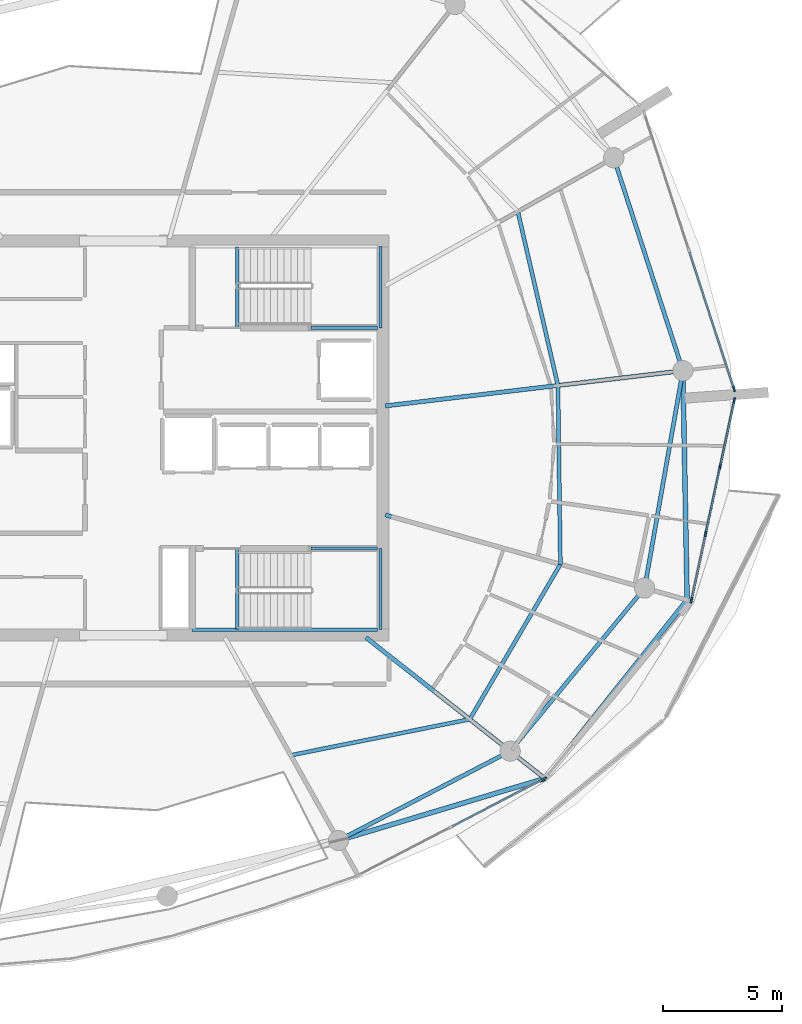
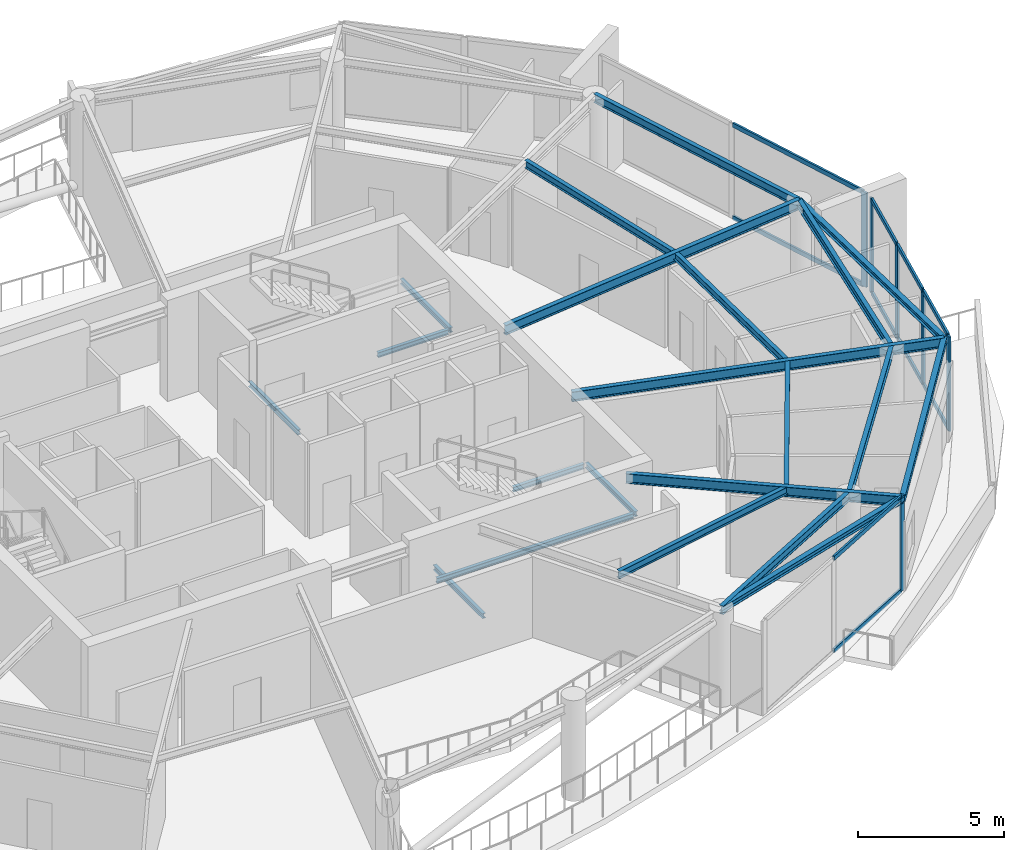
# One storey, part 6 of 22: 21 beams, 16 members, 3 elements without a shape of their own.
"""IFC4 building model written with IfcOpenShell, lengths in metres."""

from ifc_helpers import new_model, si_unit, direction, frame, origin, origin_2d, place, context, subcontext, project, spatial, rectangle, i_section, extrude, material, layer, layer_set, material_profile, profile_set, type_object, element, aggregate, save


model = new_model("IFC4")

# Units and contexts
model_context = context("Model", 3, precision=1e-05, world=origin(), true_north=direction((0.0, 1.0)))
body_context = subcontext(model_context, "Body", "Model", "MODEL_VIEW")
ifc_project = project(units=[si_unit("LENGTHUNIT", "METRE"), si_unit("AREAUNIT", "SQUARE_METRE"), si_unit("VOLUMEUNIT", "CUBIC_METRE"), si_unit("PLANEANGLEUNIT", "RADIAN"), si_unit("MASSUNIT", "GRAM", prefix="KILO")], contexts=[model_context])

# Site, building, storey
site_placement = place(None, origin())
site = spatial("IfcSite", under=ifc_project, at=site_placement, CompositionType="ELEMENT")
building_placement = place(site_placement, origin())
building = spatial("IfcBuilding", under=site, at=building_placement, Name="Kazma Halo Residences", CompositionType="ELEMENT")
storey_placement = place(building_placement, frame((0.0, 0.0, 330.5)))
storey = spatial("IfcBuildingStorey", under=building, at=storey_placement, Name="L83", CompositionType="ELEMENT", Elevation=330.5)

# Beams
ifc_material_1 = material(Name="Steel S355", Category="steel")
ifc_material_profile_1 = material_profile(ifc_material_1, i_section(OverallWidth=0.201904296875, OverallDepth=0.2470703125, WebThickness=0.00732421875, FlangeThickness=0.010986328125, FilletRadius=0.011962890625, at=origin_2d()), Name="W250x49.1")
ifc_profile_set_1 = profile_set([ifc_material_profile_1], Name="Steel S355")
beam_type_1 = type_object("IfcBeamType", Name="BM-BAL-CANT", PredefinedType="BEAM", material=ifc_profile_set_1)
beam_1_placement = place(storey_placement, frame((57.436767578125, 25.1494140625, 3.81640625), z_axis=(0.957652623349, 0.287926124193, 0.0), x_axis=(-0.287926124193, 0.957652623349, 0.0)))
element("IfcBeam", 1, at=beam_1_placement, inside=storey, type_object=beam_type_1, Name="L83 wave-balcony lead tie beam 13", PredefinedType="BEAM", context=body_context, shape_type="SweptSolid", body=[
    extrude(i_section(OverallWidth=0.201904296875, OverallDepth=0.2470703125, WebThickness=0.00732421875, FlangeThickness=0.010986328125, FilletRadius=0.011962890625, at=origin_2d()), origin(), (0.0, 0.0, 1.0), 9.0244140625),
])
beam_2_placement = place(storey_placement, frame((66.0791015625, 27.747802734375, 3.81640625), z_axis=(0.623310870646, 0.781974141858, 0.0), x_axis=(-0.781974141858, 0.623310870646, 0.0)))
element("IfcBeam", 2, at=beam_2_placement, inside=storey, type_object=beam_type_1, Name="L83 wave-balcony tie beam 14", PredefinedType="BEAM", context=body_context, shape_type="SweptSolid", body=[
    extrude(i_section(OverallWidth=0.201904296875, OverallDepth=0.2470703125, WebThickness=0.00732421875, FlangeThickness=0.010986328125, FilletRadius=0.011962890625, at=origin_2d()), origin(), (0.0, 0.0, 1.0), 9.55712890625),
])
beam_3_placement = place(storey_placement, frame((72.0361328125, 35.22119140625, 3.81640625), z_axis=(-0.018301708623, 0.999832509704, 0.0), x_axis=(-0.999832509704, -0.018301708623, 0.0)))
element("IfcBeam", 3, at=beam_3_placement, inside=storey, type_object=beam_type_1, Name="L83 wave-balcony tie beam 15", PredefinedType="BEAM", context=body_context, shape_type="SweptSolid", body=[
    extrude(i_section(OverallWidth=0.201904296875, OverallDepth=0.2470703125, WebThickness=0.00732421875, FlangeThickness=0.010986328125, FilletRadius=0.011962890625, at=origin_2d()), origin(), (0.0, 0.0, 1.0), 9.604736328125),
])
ifc_material_profile_2 = material_profile(ifc_material_1, i_section(OverallWidth=0.177978515625, OverallDepth=0.406982421875, WebThickness=0.0078125, FlangeThickness=0.0126953125, FilletRadius=0.013916015625, at=origin_2d()), Name="W410x60")
ifc_profile_set_2 = profile_set([ifc_material_profile_2], Name="Steel S355")
beam_type_2 = type_object("IfcBeamType", Name="BM-RAD-W410", PredefinedType="BEAM", material=ifc_profile_set_2)
beam_4_placement = place(storey_placement, frame((58.591796875, 33.64990234375, 3.736572265625), z_axis=(0.785338117696, -0.619067073017, 0.0), x_axis=(0.619067073017, 0.785338117696, 0.0)))
element("IfcBeam", 4, at=beam_4_placement, inside=storey, type_object=beam_type_2, Name="L83 radial floor beam 14", PredefinedType="BEAM", context=body_context, shape_type="SweptSolid", body=[
    extrude(i_section(OverallWidth=0.177978515625, OverallDepth=0.406982421875, WebThickness=0.0078125, FlangeThickness=0.0126953125, FilletRadius=0.013916015625, at=origin_2d()), origin(), (0.0, 0.0, 1.0), 9.533935546875),
])
beam_5_placement = place(storey_placement, frame((59.39990234375, 38.784912109375, 3.736572265625), z_axis=(0.962456527183, -0.271435873243, 0.0), x_axis=(0.271435873243, 0.962456527183, 0.0)))
element("IfcBeam", 5, at=beam_5_placement, inside=storey, type_object=beam_type_2, Name="L83 radial floor beam 15", PredefinedType="BEAM", context=body_context, shape_type="SweptSolid", body=[
    extrude(i_section(OverallWidth=0.177978515625, OverallDepth=0.406982421875, WebThickness=0.0078125, FlangeThickness=0.0126953125, FilletRadius=0.013916015625, at=origin_2d()), origin(), (0.0, 0.0, 1.0), 13.129150390625),
])
beam_6_placement = place(storey_placement, frame((59.39990234375, 43.349365234375, 3.736572265625), z_axis=(0.993067878665, 0.117542283299, 0.0), x_axis=(-0.117542283299, 0.993067878665, 0.0)))
element("IfcBeam", 6, at=beam_6_placement, inside=storey, type_object=beam_type_2, Name="L83 radial floor beam 16", PredefinedType="BEAM", context=body_context, shape_type="SweptSolid", body=[
    extrude(i_section(OverallWidth=0.177978515625, OverallDepth=0.406982421875, WebThickness=0.0078125, FlangeThickness=0.0126953125, FilletRadius=0.013916015625, at=origin_2d()), origin(), (0.0, 0.0, 1.0), 12.54736328125),
])
ifc_material_profile_3 = material_profile(ifc_material_1, i_section(OverallWidth=0.1650390625, OverallDepth=0.31005859375, WebThickness=0.005859375, FlangeThickness=0.009765625, FilletRadius=0.011962890625, at=origin_2d()), Name="W310x38.7")
ifc_profile_set_3 = profile_set([ifc_material_profile_3], Name="Steel S355")
beam_type_3 = type_object("IfcBeamType", Name="BM-SEC-W310B", PredefinedType="JOIST", material=ifc_profile_set_3)
beam_7_placement = place(storey_placement, frame((55.437255859375, 28.719482421875, 3.784912109375), z_axis=(0.980381248206, 0.197110649551, 0.0), x_axis=(-0.197110649551, 0.980381248206, 0.0)))
element("IfcBeam", 7, at=beam_7_placement, inside=storey, type_object=beam_type_3, Name="L83 circumferential floor joist 13", PredefinedType="JOIST", context=body_context, shape_type="SweptSolid", body=[
    extrude(i_section(OverallWidth=0.1650390625, OverallDepth=0.31005859375, WebThickness=0.005859375, FlangeThickness=0.009765625, FilletRadius=0.011962890625, at=origin_2d()), origin(), (0.0, 0.0, 1.0), 7.647216796875),
])
beam_8_placement = place(storey_placement, frame((62.934326171875, 30.226806640625, 3.784912109375), z_axis=(0.504678344784, 0.863307458734, 0.0), x_axis=(-0.863307458734, 0.504678344784, 0.0)))
element("IfcBeam", 8, at=beam_8_placement, inside=storey, type_object=beam_type_3, Name="L83 circumferential floor joist 14", PredefinedType="JOIST", context=body_context, shape_type="SweptSolid", body=[
    extrude(i_section(OverallWidth=0.1650390625, OverallDepth=0.31005859375, WebThickness=0.005859375, FlangeThickness=0.009765625, FilletRadius=0.011962890625, at=origin_2d()), origin(), (0.0, 0.0, 1.0), 7.51904296875),
])
beam_9_placement = place(storey_placement, frame((66.72900390625, 36.718017578125, 3.784912109375), z_axis=(-0.013629909387, 0.999907108471, 0.0), x_axis=(-0.999907108471, -0.013629909387, 0.0)))
element("IfcBeam", 9, at=beam_9_placement, inside=storey, type_object=beam_type_3, Name="L83 circumferential floor joist 15", PredefinedType="JOIST", context=body_context, shape_type="SweptSolid", body=[
    extrude(i_section(OverallWidth=0.1650390625, OverallDepth=0.31005859375, WebThickness=0.005859375, FlangeThickness=0.009765625, FilletRadius=0.011962890625, at=origin_2d()), origin(), (0.0, 0.0, 1.0), 7.4873046875),
])
beam_10_placement = place(storey_placement, frame((66.626953125, 44.20458984375, 3.784912109375), z_axis=(-0.224709269338, 0.974425853656, 0.0), x_axis=(-0.974425853656, -0.224709269338, 0.0)))
element("IfcBeam", 10, at=beam_10_placement, inside=storey, type_object=beam_type_3, Name="L83 circumferential floor joist 16", PredefinedType="JOIST", context=body_context, shape_type="SweptSolid", body=[
    extrude(i_section(OverallWidth=0.1650390625, OverallDepth=0.31005859375, WebThickness=0.005859375, FlangeThickness=0.009765625, FilletRadius=0.011962890625, at=origin_2d()), origin(), (0.0, 0.0, 1.0), 7.47705078125),
])
ifc_material_profile_4 = material_profile(ifc_material_1, i_section(OverallWidth=0.1708984375, OverallDepth=0.35498046875, WebThickness=0.007080078125, FlangeThickness=0.01171875, FilletRadius=0.013916015625, at=origin_2d()), Name="W360x51")
ifc_profile_set_4 = profile_set([ifc_material_profile_4], Name="Steel S355")
beam_type_4 = type_object("IfcBeamType", Name="BM-SPN-W360", PredefinedType="BEAM", material=ifc_profile_set_4)
beam_11_placement = place(storey_placement, frame((57.436767578125, 25.1494140625, 3.762451171875), z_axis=(0.886957269655, 0.461851493238, 0.0), x_axis=(-0.461851493238, 0.886957269655, 0.0)))
element("IfcBeam", 11, at=beam_11_placement, inside=storey, type_object=beam_type_4, Name="L83 perimeter ring beam 13", PredefinedType="BEAM", context=body_context, shape_type="SweptSolid", body=[
    extrude(i_section(OverallWidth=0.1708984375, OverallDepth=0.35498046875, WebThickness=0.007080078125, FlangeThickness=0.01171875, FilletRadius=0.013916015625, at=origin_2d()), origin(), (0.0, 0.0, 1.0), 8.105712890625),
])
beam_12_placement = place(storey_placement, frame((64.626220703125, 28.89306640625, 3.762451171875), z_axis=(0.636004986424, 0.771684946881, 0.0), x_axis=(-0.771684946881, 0.636004986424, 0.0)))
element("IfcBeam", 12, at=beam_12_placement, inside=storey, type_object=beam_type_4, Name="L83 perimeter ring beam 14", PredefinedType="BEAM", context=body_context, shape_type="SweptSolid", body=[
    extrude(i_section(OverallWidth=0.1708984375, OverallDepth=0.35498046875, WebThickness=0.007080078125, FlangeThickness=0.01171875, FilletRadius=0.013916015625, at=origin_2d()), origin(), (0.0, 0.0, 1.0), 8.85107421875),
])
beam_13_placement = place(storey_placement, frame((70.255615234375, 35.723388671875, 3.762451171875), z_axis=(0.173649692956, 0.984807485825, 0.0), x_axis=(-0.984807485825, 0.173649692956, 0.0)))
element("IfcBeam", 13, at=beam_13_placement, inside=storey, type_object=beam_type_4, Name="L83 perimeter ring beam 15", PredefinedType="BEAM", context=body_context, shape_type="SweptSolid", body=[
    extrude(i_section(OverallWidth=0.1708984375, OverallDepth=0.35498046875, WebThickness=0.007080078125, FlangeThickness=0.01171875, FilletRadius=0.013916015625, at=origin_2d()), origin(), (0.0, 0.0, 1.0), 9.2412109375),
])
beam_14_placement = place(storey_placement, frame((71.8603515625, 44.82421875, 3.762451171875), z_axis=(-0.309023062674, 0.951054544564, 0.0), x_axis=(-0.951054544564, -0.309023062674, 0.0)))
element("IfcBeam", 14, at=beam_14_placement, inside=storey, type_object=beam_type_4, Name="L83 perimeter ring beam 16", PredefinedType="BEAM", context=body_context, shape_type="SweptSolid", body=[
    extrude(i_section(OverallWidth=0.1708984375, OverallDepth=0.35498046875, WebThickness=0.007080078125, FlangeThickness=0.01171875, FilletRadius=0.013916015625, at=origin_2d()), origin(), (0.0, 0.0, 1.0), 9.37451171875),
])
ifc_material_profile_5 = material_profile(ifc_material_1, i_section(OverallWidth=0.133056640625, OverallDepth=0.20703125, WebThickness=0.005859375, FlangeThickness=0.00830078125, FilletRadius=0.010009765625, at=origin_2d()), Name="W200x26.6")
ifc_profile_set_5 = profile_set([ifc_material_profile_5], Name="Steel S355")
beam_type_5 = type_object("IfcBeamType", Name="BM-TRIM-W200", PredefinedType="BEAM", material=ifc_profile_set_5)
for number, where, z_axis, x_axis, name in (
    (15, (53.199951171875, 46.6201171875, -0.3701171875), (0.0, 1.0, 0.0), (-1.0, 0.0, 0.0), "L83 ST-02 floor landing support beam"),
    (16, (53.199951171875, 34.0, -0.3701171875), (0.0, 1.0, 0.0), (-1.0, 0.0, 0.0), "L83 ST-03 floor landing support beam"),
):
    element("IfcBeam", number, at=place(storey_placement, frame(where, z_axis=z_axis, x_axis=x_axis)), inside=storey, type_object=beam_type_5, Name=name, PredefinedType="BEAM", context=body_context, shape_type="SweptSolid", body=[
        extrude(i_section(OverallWidth=0.133056640625, OverallDepth=0.20703125, WebThickness=0.005859375, FlangeThickness=0.00830078125, FilletRadius=0.010009765625, at=origin_2d()), origin(), (0.0, 0.0, 1.0), 3.3798828125),
    ])
beam_15_placement = place(storey_placement, frame((56.280029296875, 46.6201171875, 1.794921875), z_axis=(1.0, 0.0, 0.0), x_axis=(0.0, 1.0, 0.0)))
element("IfcBeam", 17, at=beam_15_placement, inside=storey, type_object=beam_type_5, Name="L83 ST-02 landing south wall ledger", PredefinedType="BEAM", context=body_context, shape_type="SweptSolid", body=[
    extrude(i_section(OverallWidth=0.133056640625, OverallDepth=0.20703125, WebThickness=0.005859375, FlangeThickness=0.00830078125, FilletRadius=0.010009765625, at=origin_2d()), origin(), (0.0, 0.0, 1.0), 2.7900390625),
])
beam_16_placement = place(storey_placement, frame((59.18994140625, 46.6201171875, 1.794921875), z_axis=(0.0, 1.0, 0.0), x_axis=(-1.0, 0.0, 0.0)))
element("IfcBeam", 18, at=beam_16_placement, inside=storey, type_object=beam_type_5, Name="L83 ST-02 landing end wall ledger", PredefinedType="BEAM", context=body_context, shape_type="SweptSolid", body=[
    extrude(i_section(OverallWidth=0.133056640625, OverallDepth=0.20703125, WebThickness=0.005859375, FlangeThickness=0.00830078125, FilletRadius=0.010009765625, at=origin_2d()), origin(), (0.0, 0.0, 1.0), 3.39990234375),
])
beam_17_placement = place(storey_placement, frame((51.31005859375, 33.97998046875, 1.794921875), z_axis=(1.0, 0.0, 0.0), x_axis=(0.0, 1.0, 0.0)))
element("IfcBeam", 19, at=beam_17_placement, inside=storey, type_object=beam_type_5, Name="L83 ST-03 landing south wall ledger", PredefinedType="BEAM", context=body_context, shape_type="SweptSolid", body=[
    extrude(i_section(OverallWidth=0.133056640625, OverallDepth=0.20703125, WebThickness=0.005859375, FlangeThickness=0.00830078125, FilletRadius=0.010009765625, at=origin_2d()), origin(), (0.0, 0.0, 1.0), 7.760009765625),
])
beam_18_placement = place(storey_placement, frame((56.280029296875, 37.3798828125, 1.794921875), z_axis=(1.0, 0.0, 0.0), x_axis=(0.0, 1.0, 0.0)))
element("IfcBeam", 20, at=beam_18_placement, inside=storey, type_object=beam_type_5, Name="L83 ST-03 landing north wall ledger", PredefinedType="BEAM", context=body_context, shape_type="SweptSolid", body=[
    extrude(i_section(OverallWidth=0.133056640625, OverallDepth=0.20703125, WebThickness=0.005859375, FlangeThickness=0.00830078125, FilletRadius=0.010009765625, at=origin_2d()), origin(), (0.0, 0.0, 1.0), 2.7900390625),
])
beam_19_placement = place(storey_placement, frame((59.18994140625, 33.97998046875, 1.794921875), z_axis=(0.0, 1.0, 0.0), x_axis=(-1.0, 0.0, 0.0)))
element("IfcBeam", 21, at=beam_19_placement, inside=storey, type_object=beam_type_5, Name="L83 ST-03 landing end wall ledger", PredefinedType="BEAM", context=body_context, shape_type="SweptSolid", body=[
    extrude(i_section(OverallWidth=0.133056640625, OverallDepth=0.20703125, WebThickness=0.005859375, FlangeThickness=0.00830078125, FilletRadius=0.010009765625, at=origin_2d()), origin(), (0.0, 0.0, 1.0), 3.39990234375),
])

# Curtain wall, member
ifc_material_2 = material(Name="Aluminium AW-6063 T6 and Triple-Silver Low-E Glass", Category="aluminium")
ifc_layer = layer(ifc_material_2, 0.239990234375)
ifc_layer_set = layer_set([ifc_layer], Name="Aluminium AW-6063 T6 and Triple-Silver Low-E Glass")
curtain_wall_type = type_object("IfcCurtainWallType", Name="CW-SYS-6", PredefinedType="NOTDEFINED", material=ifc_layer_set)
curtain_wall_1_placement = place(storey_placement, origin())
curtain_wall_1 = element("IfcCurtainWall", 22, at=curtain_wall_1_placement, inside=storey, type_object=curtain_wall_type, Name="L83 unitised curtain wall B13", PredefinedType="NOTDEFINED")
ifc_material_3 = material(Name="Aluminium AW-6063 T6", Category="aluminium")
ifc_material_profile_6 = material_profile(ifc_material_3, rectangle(XDim=0.080078125, YDim=0.239990234375, at=origin_2d()), Name="CWM-80x240")
ifc_profile_set_6 = profile_set([ifc_material_profile_6], Name="Aluminium AW-6063 T6")
member_type_1 = type_object("IfcMemberType", Name="CW-SYS-6-MUL", PredefinedType="MULLION", material=ifc_profile_set_6)
member_1_placement = place(storey_placement, frame((66.041015625, 27.731201171875, 0.0), z_axis=(0.0, 0.0, 1.0), x_axis=(-0.460796020861, 0.887506071618, 0.0)))
member_1 = element("IfcMember", 23, at=member_1_placement, type_object=member_type_1, Name="CWS-6 mullion 3", PredefinedType="MULLION", context=body_context, shape_type="SweptSolid", body=[
    extrude(rectangle(XDim=0.080078125, YDim=0.239990234375, at=origin_2d()), origin(), (0.0, 0.0, 1.0), 3.93994140625),
])

# Curtain wall, members
curtain_wall_2_placement = place(storey_placement, origin())
curtain_wall_2 = element("IfcCurtainWall", 24, at=curtain_wall_2_placement, inside=storey, type_object=curtain_wall_type, Name="L83 unitised curtain wall B15", PredefinedType="NOTDEFINED")
member_2_placement = place(storey_placement, frame((72.2158203125, 35.2119140625, 0.0), z_axis=(0.0, 0.0, 1.0), x_axis=(-0.977760865363, 0.209722888986, 0.0)))
member_2 = element("IfcMember", 25, at=member_2_placement, type_object=member_type_1, Name="CWS-6 mullion 1", PredefinedType="MULLION", context=body_context, shape_type="SweptSolid", body=[
    extrude(rectangle(XDim=0.080078125, YDim=0.239990234375, at=origin_2d()), origin(), (0.0, 0.0, 1.0), 3.93994140625),
])
member_3_placement = place(storey_placement, frame((72.81103515625, 37.986572265625, 0.0), z_axis=(0.0, 0.0, 1.0), x_axis=(-0.977760865363, 0.209722888986, 0.0)))
member_3 = element("IfcMember", 26, at=member_3_placement, type_object=member_type_1, Name="CWS-6 mullion 2", PredefinedType="MULLION", context=body_context, shape_type="SweptSolid", body=[
    extrude(rectangle(XDim=0.080078125, YDim=0.239990234375, at=origin_2d()), origin(), (0.0, 0.0, 1.0), 3.93994140625),
])
member_4_placement = place(storey_placement, frame((73.41455078125, 40.80029296875, 0.0), z_axis=(0.0, 0.0, 1.0), x_axis=(-0.977760865363, 0.209722888986, 0.0)))
member_4 = element("IfcMember", 27, at=member_4_placement, type_object=member_type_1, Name="CWS-6 mullion 3", PredefinedType="MULLION", context=body_context, shape_type="SweptSolid", body=[
    extrude(rectangle(XDim=0.080078125, YDim=0.239990234375, at=origin_2d()), origin(), (0.0, 0.0, 1.0), 3.93994140625),
])
member_5_placement = place(storey_placement, frame((74.009765625, 43.574951171875, 0.0), z_axis=(0.0, 0.0, 1.0), x_axis=(-0.977760865363, 0.209722888986, 0.0)))
member_5 = element("IfcMember", 28, at=member_5_placement, type_object=member_type_1, Name="CWS-6 mullion 4", PredefinedType="MULLION", context=body_context, shape_type="SweptSolid", body=[
    extrude(rectangle(XDim=0.080078125, YDim=0.239990234375, at=origin_2d()), origin(), (0.0, 0.0, 1.0), 3.93994140625),
])

# Curtain wall, member
curtain_wall_3_placement = place(storey_placement, origin())
curtain_wall_3 = element("IfcCurtainWall", 29, at=curtain_wall_3_placement, inside=storey, type_object=curtain_wall_type, Name="L83 unitised curtain wall B16", PredefinedType="NOTDEFINED")
member_6_placement = place(storey_placement, frame((73.9990234375, 44.062255859375, 0.0), z_axis=(0.0, 0.0, 1.0), x_axis=(-0.951055886462, -0.309018932797, 0.0)))
member_6 = element("IfcMember", 30, at=member_6_placement, type_object=member_type_1, Name="CWS-6 mullion 1", PredefinedType="MULLION", context=body_context, shape_type="SweptSolid", body=[
    extrude(rectangle(XDim=0.080078125, YDim=0.239990234375, at=origin_2d()), origin(), (0.0, 0.0, 1.0), 3.93994140625),
])

# Member
ifc_material_profile_7 = material_profile(ifc_material_3, rectangle(XDim=0.080078125, YDim=0.179931640625, at=origin_2d()), Name="CWT-80x180")
ifc_profile_set_7 = profile_set([ifc_material_profile_7], Name="Aluminium AW-6063 T6")
member_type_2 = type_object("IfcMemberType", Name="CW-SYS-6-TRN", PredefinedType="USERDEFINED", material=ifc_profile_set_7)
member_7_placement = place(storey_placement, frame((62.201171875, 25.737548828125, 0.0400390625), z_axis=(0.887488013571, 0.4608307995, 0.0), x_axis=(-0.4608307995, 0.887488013571, 0.0)))
member_7 = element("IfcMember", 31, at=member_7_placement, type_object=member_type_2, Name="CWS-6 transom 2.1", ObjectType="TRANSOM", PredefinedType="USERDEFINED", context=body_context, shape_type="SweptSolid", body=[
    extrude(rectangle(XDim=0.080078125, YDim=0.179931640625, at=origin_2d()), origin(), (0.0, 0.0, 1.0), 4.286376953125),
])

member_8_placement = place(storey_placement, frame((62.201171875, 25.737548828125, 3.89990234375), z_axis=(0.887488013571, 0.4608307995, 0.0), x_axis=(-0.4608307995, 0.887488013571, 0.0)))
member_8 = element("IfcMember", 32, at=member_8_placement, type_object=member_type_2, Name="CWS-6 transom 2.2", ObjectType="TRANSOM", PredefinedType="USERDEFINED", context=body_context, shape_type="SweptSolid", body=[
    extrude(rectangle(XDim=0.080078125, YDim=0.179931640625, at=origin_2d()), origin(), (0.0, 0.0, 1.0), 4.286376953125),
])

aggregate(curtain_wall_1, [member_1, member_7, member_8])

member_9_placement = place(storey_placement, frame((72.224365234375, 35.2509765625, 0.0400390625), z_axis=(0.209716499477, 0.977762235846, 0.0), x_axis=(-0.977762235846, 0.209716499477, 0.0)))
member_9 = element("IfcMember", 33, at=member_9_placement, type_object=member_type_2, Name="CWS-6 transom 1.1", ObjectType="TRANSOM", PredefinedType="USERDEFINED", context=body_context, shape_type="SweptSolid", body=[
    extrude(rectangle(XDim=0.080078125, YDim=0.179931640625, at=origin_2d()), origin(), (0.0, 0.0, 1.0), 2.7578125),
])

member_10_placement = place(storey_placement, frame((72.224365234375, 35.2509765625, 3.89990234375), z_axis=(0.209716499477, 0.977762235846, 0.0), x_axis=(-0.977762235846, 0.209716499477, 0.0)))
member_10 = element("IfcMember", 34, at=member_10_placement, type_object=member_type_2, Name="CWS-6 transom 1.2", ObjectType="TRANSOM", PredefinedType="USERDEFINED", context=body_context, shape_type="SweptSolid", body=[
    extrude(rectangle(XDim=0.080078125, YDim=0.179931640625, at=origin_2d()), origin(), (0.0, 0.0, 1.0), 2.7578125),
])

member_11_placement = place(storey_placement, frame((72.8193359375, 38.025634765625, 0.0400390625), z_axis=(0.209773410621, 0.977750027459, 0.0), x_axis=(-0.977750027459, 0.209773410621, 0.0)))
member_11 = element("IfcMember", 35, at=member_11_placement, type_object=member_type_2, Name="CWS-6 transom 2.1", ObjectType="TRANSOM", PredefinedType="USERDEFINED", context=body_context, shape_type="SweptSolid", body=[
    extrude(rectangle(XDim=0.080078125, YDim=0.179931640625, at=origin_2d()), origin(), (0.0, 0.0, 1.0), 2.7978515625),
])

member_12_placement = place(storey_placement, frame((72.8193359375, 38.025634765625, 3.89990234375), z_axis=(0.209773410621, 0.977750027459, 0.0), x_axis=(-0.977750027459, 0.209773410621, 0.0)))
member_12 = element("IfcMember", 36, at=member_12_placement, type_object=member_type_2, Name="CWS-6 transom 2.2", ObjectType="TRANSOM", PredefinedType="USERDEFINED", context=body_context, shape_type="SweptSolid", body=[
    extrude(rectangle(XDim=0.080078125, YDim=0.179931640625, at=origin_2d()), origin(), (0.0, 0.0, 1.0), 2.7978515625),
])

member_13_placement = place(storey_placement, frame((73.4228515625, 40.83935546875, 0.0400390625), z_axis=(0.209716499477, 0.977762235846, 0.0), x_axis=(-0.977762235846, 0.209716499477, 0.0)))
member_13 = element("IfcMember", 37, at=member_13_placement, type_object=member_type_2, Name="CWS-6 transom 3.1", ObjectType="TRANSOM", PredefinedType="USERDEFINED", context=body_context, shape_type="SweptSolid", body=[
    extrude(rectangle(XDim=0.080078125, YDim=0.179931640625, at=origin_2d()), origin(), (0.0, 0.0, 1.0), 2.7578125),
])

member_14_placement = place(storey_placement, frame((73.4228515625, 40.83935546875, 3.89990234375), z_axis=(0.209716499477, 0.977762235846, 0.0), x_axis=(-0.977762235846, 0.209716499477, 0.0)))
member_14 = element("IfcMember", 38, at=member_14_placement, type_object=member_type_2, Name="CWS-6 transom 3.2", ObjectType="TRANSOM", PredefinedType="USERDEFINED", context=body_context, shape_type="SweptSolid", body=[
    extrude(rectangle(XDim=0.080078125, YDim=0.179931640625, at=origin_2d()), origin(), (0.0, 0.0, 1.0), 2.7578125),
])

aggregate(curtain_wall_2, [member_2, member_3, member_4, member_5, member_9, member_10, member_11, member_12, member_13, member_14])

member_15_placement = place(storey_placement, frame((73.986572265625, 44.100341796875, 0.0400390625), z_axis=(-0.309007770724, 0.951059513191, 0.0), x_axis=(-0.951059513191, -0.309007770724, 0.0)))
member_15 = element("IfcMember", 39, at=member_15_placement, type_object=member_type_2, Name="CWS-6 transom 1.1", ObjectType="TRANSOM", PredefinedType="USERDEFINED", context=body_context, shape_type="SweptSolid", body=[
    extrude(rectangle(XDim=0.080078125, YDim=0.179931640625, at=origin_2d()), origin(), (0.0, 0.0, 1.0), 5.99267578125),
])

member_16_placement = place(storey_placement, frame((73.986572265625, 44.100341796875, 3.89990234375), z_axis=(-0.309007770724, 0.951059513191, 0.0), x_axis=(-0.951059513191, -0.309007770724, 0.0)))
member_16 = element("IfcMember", 40, at=member_16_placement, type_object=member_type_2, Name="CWS-6 transom 1.2", ObjectType="TRANSOM", PredefinedType="USERDEFINED", context=body_context, shape_type="SweptSolid", body=[
    extrude(rectangle(XDim=0.080078125, YDim=0.179931640625, at=origin_2d()), origin(), (0.0, 0.0, 1.0), 5.99267578125),
])

aggregate(curtain_wall_3, [member_6, member_15, member_16])

save(model, "model.ifc")
